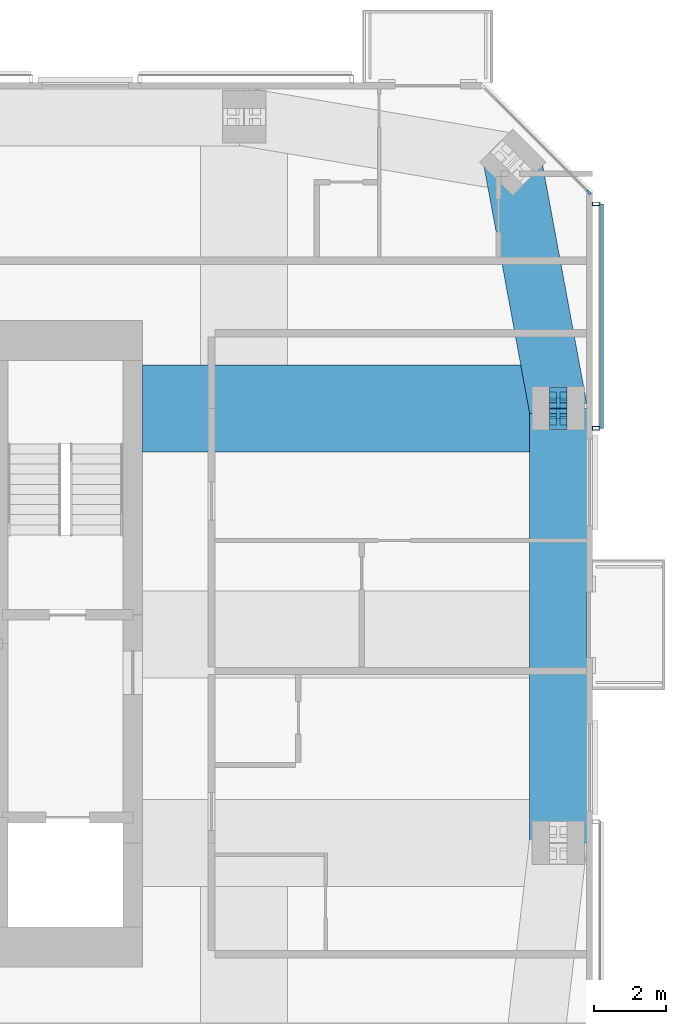
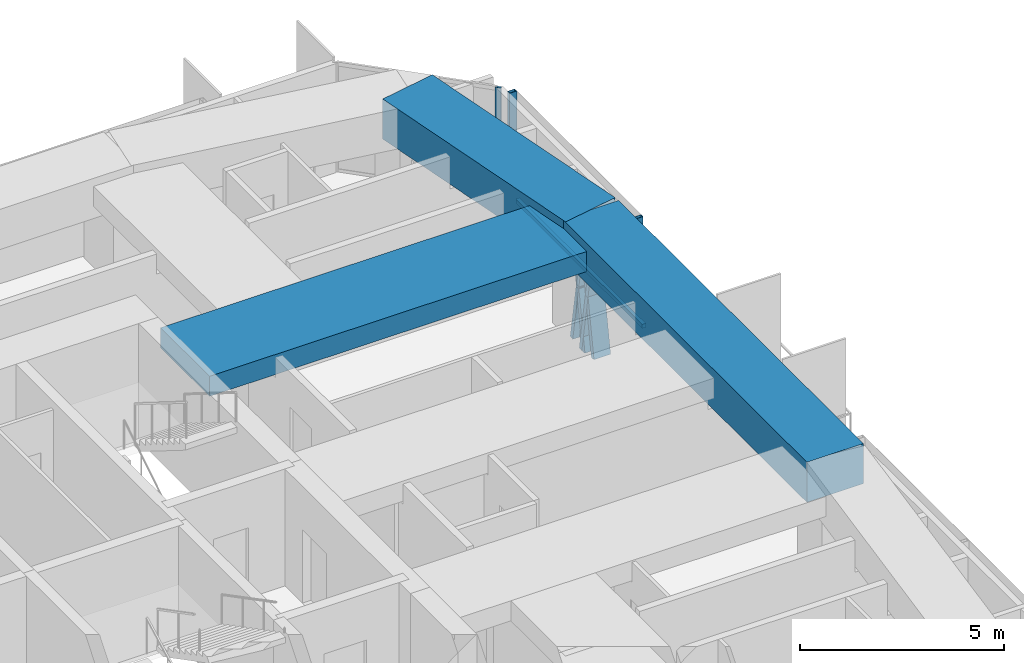
# One storey, part 8 of 18: 8 members, 3 beams, 2 elements without a shape of their own.
"""IFC4 building model written with IfcOpenShell, lengths in metres."""

import ifcopenshell
import ifcopenshell.guid

model = None  # the IFC model being written
_history = None  # IfcOwnerHistory: only IFC2X3 demands one
_inside = {}  # id of a spatial element -> (the spatial element, [elements in it])
_under = {}  # id of a project, library or spatial element -> (it, [spatial elements below it])
_declared = {}  # id of a project -> (the project, [libraries it declares])
_typed = {}  # id of a type object -> (the type object, [elements of that type])
_made_of = {}  # id of a material, layer set ... -> (it, [elements and type objects made of it])


def new_model(schema):
    """Start an empty IFC model of exactly this schema.

    Asked for "IFC4X3", IfcOpenShell would pick the latest addendum, in which some entities
    have other attributes; the version numbers below select the first issue.
    IFC2X3 requires an IfcOwnerHistory on every rooted entity: one is made here for all.
    """
    global model, _history
    if schema == "IFC4X3":
        model = ifcopenshell.file(schema_version=(4, 3, 0, 0))
    else:
        model = ifcopenshell.file(schema=schema)
    _inside.clear()
    _under.clear()
    _declared.clear()
    _typed.clear()
    _made_of.clear()
    _history = None
    if model.schema == "IFC2X3":
        org = make("IfcOrganization", Name="unknown")
        user = make(
            "IfcPersonAndOrganization",
            ThePerson=make("IfcPerson", FamilyName="unknown"),
            TheOrganization=org,
        )
        app = make(
            "IfcApplication",
            ApplicationDeveloper=org,
            Version="unknown",
            ApplicationFullName="unknown",
            ApplicationIdentifier="unknown",
        )
        _history = make(
            "IfcOwnerHistory",
            OwningUser=user,
            OwningApplication=app,
            ChangeAction="ADDED",
            CreationDate=0,
        )
    return model


def make(cls, **values):
    """One entity of the class cls with the attributes given. An attribute that is None is left unset."""
    return model.create_entity(
        cls, **{name: value for name, value in values.items() if value is not None}
    )


def rooted(cls, **values):
    """An entity with a GlobalId (a new one), such as an element, a storey or a relation."""
    return make(cls, GlobalId=ifcopenshell.guid.new(), OwnerHistory=_history, **values)


def si_unit(unit_type, name, prefix=None):
    """IfcSIUnit, for example si_unit("LENGTHUNIT", "METRE", prefix="MILLI")."""
    return make("IfcSIUnit", UnitType=unit_type, Prefix=prefix, Name=name)


def assignment(units):
    """IfcUnitAssignment: the units of a project."""
    return None if units is None else make("IfcUnitAssignment", Units=units)


def point(xyz):
    """IfcCartesianPoint."""
    return None if xyz is None else make("IfcCartesianPoint", Coordinates=xyz)


def direction(xyz):
    """IfcDirection."""
    return None if xyz is None else make("IfcDirection", DirectionRatios=xyz)


def frame(location, z_axis=None, x_axis=None):
    """IfcAxis2Placement3D, a coordinate frame: its origin and axes. An axis left out is left unset."""
    return make(
        "IfcAxis2Placement3D",
        Location=point(location),
        Axis=direction(z_axis),
        RefDirection=direction(x_axis),
    )


def frame_2d(location, x_axis=None):
    """IfcAxis2Placement2D, a coordinate frame in the plane: its origin and x axis."""
    return make(
        "IfcAxis2Placement2D", Location=point(location), RefDirection=direction(x_axis)
    )


def origin():
    """The frame at (0, 0, 0) with its axes left unset."""
    return frame((0.0, 0.0, 0.0))


def origin_2d():
    """The frame at (0, 0) in the plane with its x axis left unset."""
    return frame_2d((0.0, 0.0))


def place(relative_to, where):
    """IfcLocalPlacement: puts the frame where relative to a parent placement (None: the world)."""
    return make(
        "IfcLocalPlacement", PlacementRelTo=relative_to, RelativePlacement=where
    )


def context(
    kind, dimensions, precision=None, world=None, true_north=None, identifier=None
):
    """IfcGeometricRepresentationContext, for example the 3D "Model" context."""
    return make(
        "IfcGeometricRepresentationContext",
        ContextIdentifier=identifier,
        ContextType=kind,
        CoordinateSpaceDimension=dimensions,
        Precision=precision,
        WorldCoordinateSystem=world,
        TrueNorth=true_north,
    )


def subcontext(parent, identifier, kind, view, scale=None):
    """IfcGeometricRepresentationSubContext, for example "Body" below "Model"."""
    return make(
        "IfcGeometricRepresentationSubContext",
        ContextIdentifier=identifier,
        ContextType=kind,
        ParentContext=parent,
        TargetScale=scale,
        TargetView=view,
    )


def project(units=None, contexts=None):
    """IfcProject with its units and contexts."""
    return rooted(
        "IfcProject",
        Name="project",
        RepresentationContexts=contexts,
        UnitsInContext=assignment(units),
    )


def spatial(cls, under=None, at=None, **own):
    """A site, building, storey or space (cls), placed at a placement, below another one or the project."""
    s = rooted(cls, ObjectPlacement=at, **own)
    if under is not None:
        _under.setdefault(under.id(), (under, []))[1].append(s)
    return s


def profile(cls, at=None, kind="AREA", **sizes):
    """A parametric profile (cls). Its sizes go by their IFC names, for example OverallWidth=200.0."""
    return make(cls, ProfileType=kind, Position=at, **sizes)


def rectangle(**sizes):
    """IfcRectangleProfileDef."""
    return profile("IfcRectangleProfileDef", **sizes)


def hollow_rectangle(**sizes):
    """IfcRectangleHollowProfileDef."""
    return profile("IfcRectangleHollowProfileDef", **sizes)


def i_section(**sizes):
    """IfcIShapeProfileDef."""
    return profile("IfcIShapeProfileDef", **sizes)


def extrude(swept, where, along, depth):
    """IfcExtrudedAreaSolid: the profile swept, set in the frame where, extruded along a direction by depth."""
    return make(
        "IfcExtrudedAreaSolid",
        SweptArea=swept,
        Position=where,
        ExtrudedDirection=direction(along),
        Depth=depth,
    )


def shape(context_of_items, identifier, shape_type, items):
    """IfcShapeRepresentation: the items that make up one representation, for example the "Body"."""
    return make(
        "IfcShapeRepresentation",
        ContextOfItems=context_of_items,
        RepresentationIdentifier=identifier,
        RepresentationType=shape_type,
        Items=items,
    )


def material(Name=None, Category=None):
    """IfcMaterial."""
    return make("IfcMaterial", Name=Name, Category=Category)


def material_profile(
    of_material, cross_section, Name=None, Category=None, Priority=None
):
    """IfcMaterialProfile: a cross section and its material."""
    return make(
        "IfcMaterialProfile",
        Name=Name,
        Material=of_material,
        Profile=cross_section,
        Priority=Priority,
        Category=Category,
    )


def profile_set(profiles, Name=None, composite=None):
    """IfcMaterialProfileSet."""
    return make(
        "IfcMaterialProfileSet",
        Name=Name,
        MaterialProfiles=profiles,
        CompositeProfile=composite,
    )


def made_of(thing, what):
    """Note that an element or type object is made of a material, layer set ...; save() writes the relation."""
    if what is not None:
        _made_of.setdefault(what.id(), (what, []))[1].append(thing)
    return thing


def type_object(cls, material=None, **own):
    """A type object (cls), such as IfcWallType, which elements share."""
    return made_of(rooted(cls, **own), material)


def element(
    cls,
    number,
    at=None,
    inside=None,
    cuts=None,
    type_object=None,
    material=None,
    context=None,
    identifier="Body",
    shape_type=None,
    held_by="IfcProductDefinitionShape",
    body=None,
    shapes=None,
    **own,
):
    """One element of the class cls, such as IfcWall. Its Tag is "e" and its number.

    at: its placement. inside: the storey or other place that contains it. cuts: it is an
    opening in that element (IfcRelVoidsElement). A single representation is given by context,
    identifier, shape_type and body (its items); several are given by shapes. held_by: the class
    of the entity that holds the representations. save() writes the other relations.
    """
    e = rooted(cls, Tag="e%d" % number, ObjectPlacement=at, **own)
    if body is not None:
        shapes = [shape(context, identifier, shape_type, body)]
    if shapes is not None:
        e.Representation = make(held_by, Representations=shapes)
    if inside is not None:
        _inside.setdefault(inside.id(), (inside, []))[1].append(e)
    if cuts is not None:
        rooted(
            "IfcRelVoidsElement", RelatingBuildingElement=cuts, RelatedOpeningElement=e
        )
    if type_object is not None:
        _typed.setdefault(type_object.id(), (type_object, []))[1].append(e)
    return made_of(e, material)


def aggregate(whole, parts):
    """IfcRelAggregates: a whole, such as a stair, and the parts it consists of."""
    return rooted("IfcRelAggregates", RelatingObject=whole, RelatedObjects=parts)


def save(model, path):
    """Write the relations noted so far, then the file.

    IfcRelAggregates (storeys below a building ...), IfcRelContainedInSpatialStructure (elements
    in a storey), IfcRelDefinesByType, IfcRelAssociatesMaterial and IfcRelDeclares: one each for
    every whole, place, type object, material and project.
    """
    for whole, parts in _under.values():
        aggregate(whole, parts)
    for where, things in _inside.values():
        rooted(
            "IfcRelContainedInSpatialStructure",
            RelatedElements=things,
            RelatingStructure=where,
        )
    for kind, things in _typed.values():
        rooted("IfcRelDefinesByType", RelatedObjects=things, RelatingType=kind)
    for what, things in _made_of.values():
        rooted("IfcRelAssociatesMaterial", RelatedObjects=things, RelatingMaterial=what)
    for by, libraries in _declared.values():
        rooted("IfcRelDeclares", RelatingContext=by, RelatedDefinitions=libraries)
    model.write(path)


model = new_model("IFC4")

# Units and contexts
model_context = context("Model", 3, precision=1e-05, world=origin(), true_north=direction((0.0, 1.0)))
body_context = subcontext(model_context, "Body", "Model", "MODEL_VIEW")
ifc_project = project(units=[si_unit("LENGTHUNIT", "METRE"), si_unit("AREAUNIT", "SQUARE_METRE"), si_unit("VOLUMEUNIT", "CUBIC_METRE"), si_unit("PLANEANGLEUNIT", "RADIAN"), si_unit("MASSUNIT", "GRAM", prefix="KILO")], contexts=[model_context])

# Site, building, storey
site_placement = place(None, origin())
site = spatial("IfcSite", under=ifc_project, at=site_placement, CompositionType="ELEMENT")
building_placement = place(site_placement, origin())
building = spatial("IfcBuilding", under=site, at=building_placement, Name="Jalousie Tower", CompositionType="ELEMENT")
storey_placement = place(building_placement, frame((0.0, 0.0, 252.949951171875)))
storey = spatial("IfcBuildingStorey", under=building, at=storey_placement, Name="L69", CompositionType="ELEMENT", Elevation=252.949951171875)

# Curtain wall, member
ifc_material_1 = material(Name="Aluminium curtain wall", Category="aluminium")
curtain_wall_type_1 = type_object("IfcCurtainWallType", Name="CORNER WINDOW WALL", PredefinedType="USERDEFINED", material=ifc_material_1)
curtain_wall_1_placement = place(storey_placement, origin())
curtain_wall_1 = element("IfcCurtainWall", 1, at=curtain_wall_1_placement, inside=storey, type_object=curtain_wall_type_1, Name="Corner Window Wall L69 4", ObjectType="CORNER WINDOW WALL", PredefinedType="USERDEFINED")
ifc_material_2 = material(Name="Aluminium mullion", Category="aluminium")
ifc_material_profile_1 = material_profile(ifc_material_2, rectangle(XDim=0.06005859375, YDim=0.14990234375, at=origin_2d()), Name="MULLION 60x150")
ifc_profile_set_1 = profile_set([ifc_material_profile_1], Name="Aluminium mullion")
member_type_1 = type_object("IfcMemberType", Name="CORNER WINDOW WALL MULLION", PredefinedType="MULLION", material=ifc_profile_set_1)
member_1_placement = place(storey_placement, frame((56.391357421875, 30.969970703125, 0.0), z_axis=(0.0, 0.0, 1.0), x_axis=(-0.707106781187, -0.707106781187, 0.0)))
member_1 = element("IfcMember", 2, at=member_1_placement, type_object=member_type_1, Name="CW-C mullion 1", PredefinedType="MULLION", context=body_context, shape_type="SweptSolid", body=[
    extrude(rectangle(XDim=0.06005859375, YDim=0.14990234375, at=origin_2d()), origin(), (0.0, 0.0, 1.0), 3.260009765625),
])
aggregate(curtain_wall_1, [member_1])

# Members
ifc_material_3 = material(Name="Steel ASTM A992 Grade 50", Category="steel")
ifc_material_profile_2 = material_profile(ifc_material_3, i_section(OverallWidth=0.472412109375, OverallDepth=0.5791015625, WebThickness=0.094970703125, FlangeThickness=0.1298828125, at=origin_2d()), Name="W14X808")
ifc_profile_set_2 = profile_set([ifc_material_profile_2], Name="Steel ASTM A992 Grade 50")
member_type_2 = type_object("IfcMemberType", Name="PERIMETER BRACE W14X808", PredefinedType="BRACE", material=ifc_profile_set_2)
for number, where, z_axis, x_axis, name in (
    (3, (55.550048828125, 24.699951171875, -0.599853515625), (0.0, 0.168990530437, 0.98561767467), (-1.0, 0.0, 0.0), "Perimeter brace 07 L69 part 1"),
    (4, (55.550048828125, 25.0, 1.150146484375), (0.0, 0.168990530437, 0.98561767467), (-1.0, 0.0, 0.0), "Perimeter brace 07 L69 part 2"),
    (5, (55.550048828125, 25.300048828125, -0.599853515625), (0.0, -0.168990530437, 0.98561767467), (1.0, 0.0, 0.0), "Perimeter brace 07 L69 part 3"),
    (6, (55.550048828125, 25.0, 1.150146484375), (0.0, -0.168990530437, 0.98561767467), (1.0, 0.0, 0.0), "Perimeter brace 07 L69 part 4"),
):
    element("IfcMember", number, at=place(storey_placement, frame(where, z_axis=z_axis, x_axis=x_axis)), inside=storey, type_object=member_type_2, Name=name, PredefinedType="BRACE", context=body_context, shape_type="SweptSolid", body=[
        extrude(i_section(OverallWidth=0.472412109375, OverallDepth=0.5791015625, WebThickness=0.094970703125, FlangeThickness=0.1298828125, at=origin_2d()), origin(), (0.0, 0.0, 1.0), 1.775634765625),
    ])

# Beams
ifc_material_4 = material(Name="Concrete f'c 40 MPa", Category="concrete")
ifc_material_profile_3 = material_profile(ifc_material_4, rectangle(XDim=1.60009765625, YDim=1.199951171875, at=origin_2d()), Name="RC 1600x1200")
ifc_profile_set_3 = profile_set([ifc_material_profile_3], Name="Concrete f'c 40 MPa")
beam_type_1 = type_object("IfcBeamType", Name="RC BEAM 1600x1200", PredefinedType="BEAM", material=ifc_profile_set_3)
beam_1_placement = place(storey_placement, frame((55.550048828125, 13.0, 2.900146484375), z_axis=(0.0, 1.0, 0.0), x_axis=(-1.0, 0.0, 0.0)))
element("IfcBeam", 7, at=beam_1_placement, inside=storey, type_object=beam_type_1, Name="Edge band beam 06-07 under L70", PredefinedType="BEAM", context=body_context, shape_type="SweptSolid", body=[
    extrude(rectangle(XDim=1.60009765625, YDim=1.199951171875, at=origin_2d()), origin(), (0.0, 0.0, 1.0), 12.0),
])
beam_2_placement = place(storey_placement, frame((55.550048828125, 25.0, 2.900146484375), z_axis=(-0.181966505593, 0.983304729391, 0.0), x_axis=(-0.983304729391, -0.181966505593, 0.0)))
element("IfcBeam", 8, at=beam_2_placement, inside=storey, type_object=beam_type_1, Name="Edge band beam 07-08 under L70", PredefinedType="BEAM", context=body_context, shape_type="SweptSolid", body=[
    extrude(rectangle(XDim=1.60009765625, YDim=1.199951171875, at=origin_2d()), origin(), (0.0, 0.0, 1.0), 6.908203125),
])
ifc_material_5 = material(Name="Concrete f'c 40 MPa", Category="concrete")
ifc_material_profile_4 = material_profile(ifc_material_5, rectangle(XDim=2.39990234375, YDim=0.60009765625, at=origin_2d()), Name="RC 2400x600")
ifc_profile_set_4 = profile_set([ifc_material_profile_4], Name="Concrete f'c 40 MPa")
beam_type_2 = type_object("IfcBeamType", Name="RC BEAM 2400x600", PredefinedType="BEAM", material=ifc_profile_set_4)
beam_3_placement = place(storey_placement, frame((55.550048828125, 25.0, 2.9599609375), z_axis=(-1.0, 0.0, 0.0), x_axis=(0.0, -1.0, 0.0)))
element("IfcBeam", 9, at=beam_3_placement, inside=storey, type_object=beam_type_2, Name="Floor band beam under L70", PredefinedType="BEAM", context=body_context, shape_type="SweptSolid", body=[
    extrude(rectangle(XDim=2.39990234375, YDim=0.60009765625, at=origin_2d()), origin(), (0.0, 0.0, 1.0), 11.47509765625),
])

# Curtain wall, members
ifc_material_6 = material(Name="Perforated aluminium sheet", Category="aluminium")
curtain_wall_type_2 = type_object("IfcCurtainWallType", Name="SOLAR SCREEN SS-2", PredefinedType="USERDEFINED", material=ifc_material_6)
curtain_wall_2_placement = place(storey_placement, origin())
curtain_wall_2 = element("IfcCurtainWall", 10, at=curtain_wall_2_placement, inside=storey, type_object=curtain_wall_type_2, Name="Solar screen L69", ObjectType="SOLAR SCREEN SS-2", PredefinedType="USERDEFINED")
ifc_material_7 = material(Name="Steel ASTM A500 Grade C", Category="steel")
ifc_material_profile_5 = material_profile(ifc_material_7, hollow_rectangle(XDim=0.1015625, YDim=0.203125, WallThickness=0.0078125, at=origin_2d()), Name="HSS8X4X5/16")
ifc_profile_set_5 = profile_set([ifc_material_profile_5], Name="Steel ASTM A500 Grade C")
member_type_3 = type_object("IfcMemberType", Name="SOLAR SCREEN SS-2 MULLION", PredefinedType="MULLION", material=ifc_profile_set_5)
member_2_placement = place(storey_placement, frame((56.5966796875, 24.449951171875, -0.119873046875), z_axis=(0.0, 0.0, 1.0), x_axis=(0.0, 1.0, 0.0)))
member_2 = element("IfcMember", 11, at=member_2_placement, type_object=member_type_3, Name="SS2 post 1", PredefinedType="MULLION", context=body_context, shape_type="SweptSolid", body=[
    extrude(hollow_rectangle(XDim=0.1015625, YDim=0.203125, WallThickness=0.0078125, at=origin_2d()), origin(), (0.0, 0.0, 1.0), 3.3798828125),
])
member_3_placement = place(storey_placement, frame((56.5966796875, 30.648681640625, -0.119873046875), z_axis=(0.0, 0.0, 1.0), x_axis=(0.0, 1.0, 0.0)))
member_3 = element("IfcMember", 12, at=member_3_placement, type_object=member_type_3, Name="SS2 post 2", PredefinedType="MULLION", context=body_context, shape_type="SweptSolid", body=[
    extrude(hollow_rectangle(XDim=0.1015625, YDim=0.203125, WallThickness=0.0078125, at=origin_2d()), origin(), (0.0, 0.0, 1.0), 3.3798828125),
])
ifc_material_8 = material(Name="Extruded aluminium screen rail", Category="aluminium")
ifc_material_profile_6 = material_profile(ifc_material_8, rectangle(XDim=0.1015625, YDim=0.1201171875, at=origin_2d()), Name="RAIL 102x120")
ifc_profile_set_6 = profile_set([ifc_material_profile_6], Name="Extruded aluminium screen rail")
member_type_4 = type_object("IfcMemberType", Name="SOLAR SCREEN SS-2 TRANSOM", PredefinedType="USERDEFINED", material=ifc_profile_set_6)
member_4_placement = place(storey_placement, frame((56.7490234375, 24.449951171875, -0.06005859375), z_axis=(0.0, 1.0, 0.0), x_axis=(-1.0, 0.0, 0.0)))
member_4 = element("IfcMember", 13, at=member_4_placement, type_object=member_type_4, Name="SS2 rail", ObjectType="TRANSOM", PredefinedType="USERDEFINED", context=body_context, shape_type="SweptSolid", body=[
    extrude(rectangle(XDim=0.1015625, YDim=0.1201171875, at=origin_2d()), origin(), (0.0, 0.0, 1.0), 6.19873046875),
])
aggregate(curtain_wall_2, [member_2, member_3, member_4])

save(model, "model.ifc")
